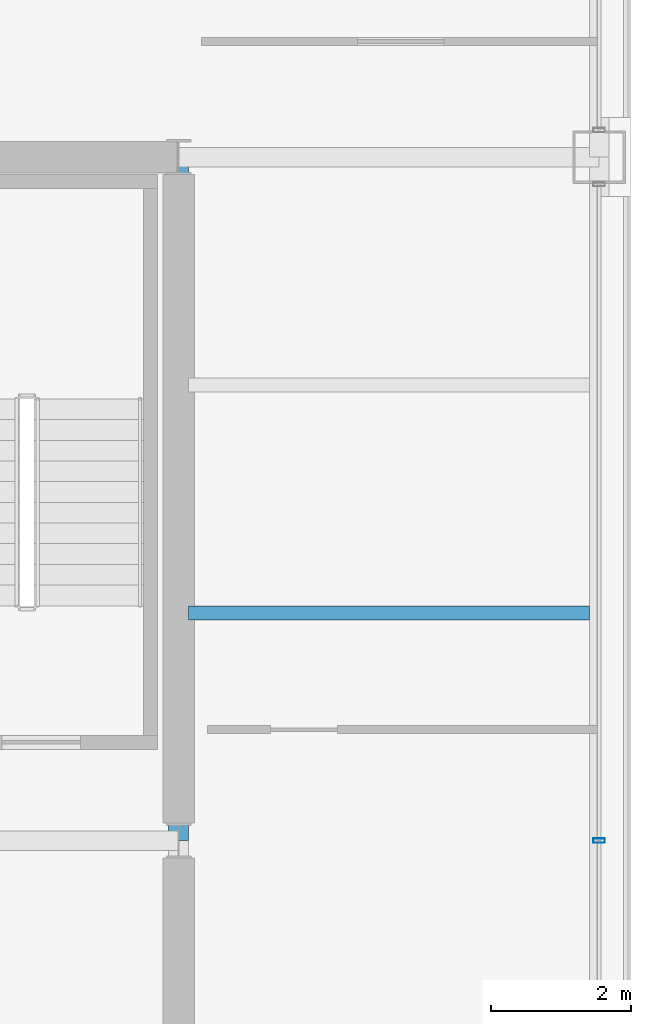
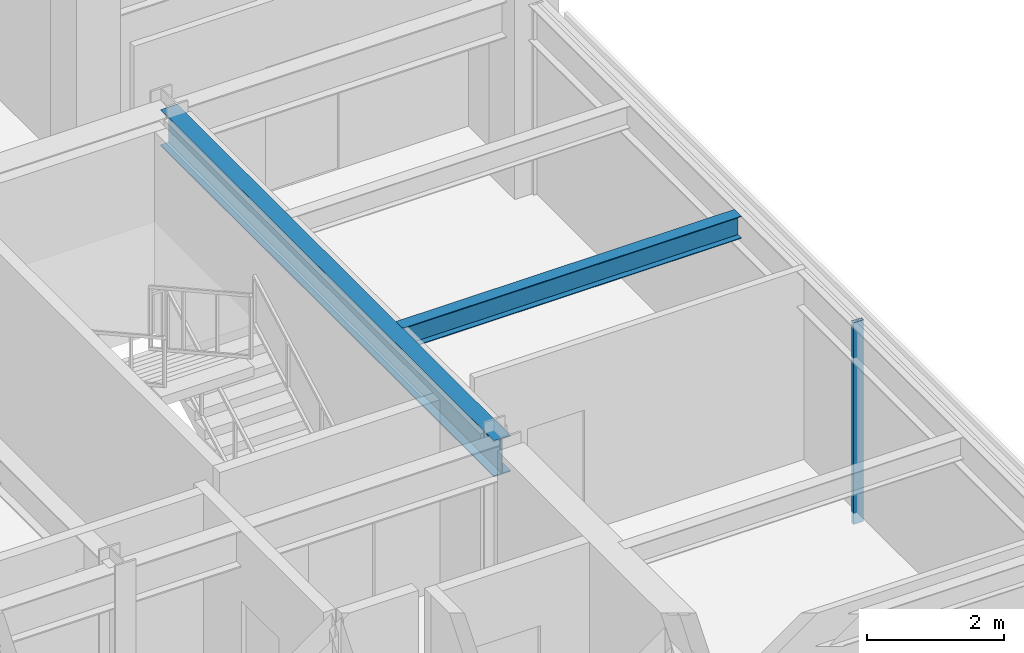
# One storey, part 15 of 30: 2 beams, 1 member, 1 element without a shape of its own.
"""IFC4 building model written with IfcOpenShell, lengths in metres."""

from ifc_helpers import new_model, si_unit, direction, frame, origin, origin_2d, place, context, subcontext, project, spatial, hollow_rectangle, i_section, extrude, material, layer, layer_set, material_profile, profile_set, type_object, element, aggregate, save


model = new_model("IFC4")

# Units and contexts
model_context = context("Model", 3, precision=1e-05, world=origin(), true_north=direction((0.0, 1.0)))
body_context = subcontext(model_context, "Body", "Model", "MODEL_VIEW")
ifc_project = project(units=[si_unit("LENGTHUNIT", "METRE"), si_unit("AREAUNIT", "SQUARE_METRE"), si_unit("VOLUMEUNIT", "CUBIC_METRE"), si_unit("PLANEANGLEUNIT", "RADIAN"), si_unit("MASSUNIT", "GRAM", prefix="KILO")], contexts=[model_context])

# Site, building, storey
site_placement = place(None, origin())
site = spatial("IfcSite", under=ifc_project, at=site_placement, CompositionType="ELEMENT")
building_placement = place(site_placement, origin())
building = spatial("IfcBuilding", under=site, at=building_placement, Name="Brelmoor Portico Tower", CompositionType="ELEMENT")
storey_placement = place(building_placement, frame((0.0, 0.0, 169.5)))
storey = spatial("IfcBuildingStorey", under=building, at=storey_placement, Name="L44", CompositionType="ELEMENT", Elevation=169.5)

# Beams
ifc_material_1 = material(Name="Steel Q355B", Category="steel")
ifc_material_profile_1 = material_profile(ifc_material_1, i_section(OverallWidth=0.199951171875, OverallDepth=0.39990234375, WebThickness=0.008056640625, FlangeThickness=0.012939453125, at=origin_2d()), Name="HN 400x200x8x13")
ifc_profile_set_1 = profile_set([ifc_material_profile_1], Name="Steel Q355B")
beam_type_1 = type_object("IfcBeamType", Name="BM-JS-400", PredefinedType="JOIST", material=ifc_profile_set_1)
beam_1_placement = place(storey_placement, frame((14.68994140625, 3.25, 3.199951171875), z_axis=(1.0, 0.0, 0.0), x_axis=(0.0, 1.0, 0.0)))
element("IfcBeam", 1, at=beam_1_placement, inside=storey, type_object=beam_type_1, Name="L44 Secondary Wing Joist JS-E11", PredefinedType="JOIST", context=body_context, shape_type="SweptSolid", body=[
    extrude(i_section(OverallWidth=0.199951171875, OverallDepth=0.39990234375, WebThickness=0.008056640625, FlangeThickness=0.012939453125, at=origin_2d()), origin(), (0.0, 0.0, 1.0), 5.719970703125),
])
ifc_material_profile_2 = material_profile(ifc_material_1, i_section(OverallWidth=0.280029296875, OverallDepth=0.64990234375, WebThickness=0.012939453125, FlangeThickness=0.02197265625, at=origin_2d()), Name="HN 650x280x13x22")
ifc_profile_set_2 = profile_set([ifc_material_profile_2], Name="Steel Q355B")
beam_type_2 = type_object("IfcBeamType", Name="BM-PG-650", PredefinedType="BEAM", material=ifc_profile_set_2)
beam_2_placement = place(storey_placement, frame((14.550048828125, 0.0, 3.074951171875), z_axis=(0.0, 1.0, 0.0), x_axis=(-1.0, 0.0, 0.0)))
element("IfcBeam", 2, at=beam_2_placement, inside=storey, type_object=beam_type_2, Name="L44 Primary Floor Girder PG-10", PredefinedType="BEAM", context=body_context, shape_type="SweptSolid", body=[
    extrude(i_section(OverallWidth=0.280029296875, OverallDepth=0.64990234375, WebThickness=0.012939453125, FlangeThickness=0.02197265625, at=origin_2d()), origin(), (0.0, 0.0, 1.0), 9.75),
])

# Curtain wall, member
ifc_material_2 = material(Name="Anodised Aluminium Alloy 6063-T6", Category="aluminium")
ifc_layer = layer(ifc_material_2, 0.179931640625)
ifc_layer_set = layer_set([ifc_layer], Name="Anodised Aluminium Alloy 6063-T6")
curtain_wall_type = type_object("IfcCurtainWallType", Name="CW-TOWER-Z3-XB", PredefinedType="NOTDEFINED", material=ifc_layer_set)
curtain_wall_placement = place(storey_placement, origin())
curtain_wall = element("IfcCurtainWall", 3, at=curtain_wall_placement, inside=storey, type_object=curtain_wall_type, Name="L44 Curtain Wall CW-L44-04-2", PredefinedType="NOTDEFINED")
ifc_material_profile_3 = material_profile(ifc_material_2, hollow_rectangle(XDim=0.06494140625, YDim=0.1650390625, WallThickness=0.00390625, at=origin_2d()), Name="ALU MULLION 65x165")
ifc_profile_set_3 = profile_set([ifc_material_profile_3], Name="Anodised Aluminium Alloy 6063-T6")
member_type = type_object("IfcMemberType", Name="MB-CW-MULL-165", PredefinedType="MULLION", material=ifc_profile_set_3)
member_placement = place(storey_placement, frame((20.550048828125, 0.0, -0.199951171875), z_axis=(0.0, 0.0, 1.0), x_axis=(0.0, 1.0, 0.0)))
member = element("IfcMember", 4, at=member_placement, type_object=member_type, Name="CW-L44-04-2 Mullion 01", PredefinedType="MULLION", context=body_context, shape_type="SweptSolid", body=[
    extrude(hollow_rectangle(XDim=0.06494140625, YDim=0.1650390625, WallThickness=0.00390625, at=origin_2d()), origin(), (0.0, 0.0, 1.0), 3.599853515625),
])
aggregate(curtain_wall, [member])

save(model, "model.ifc")
